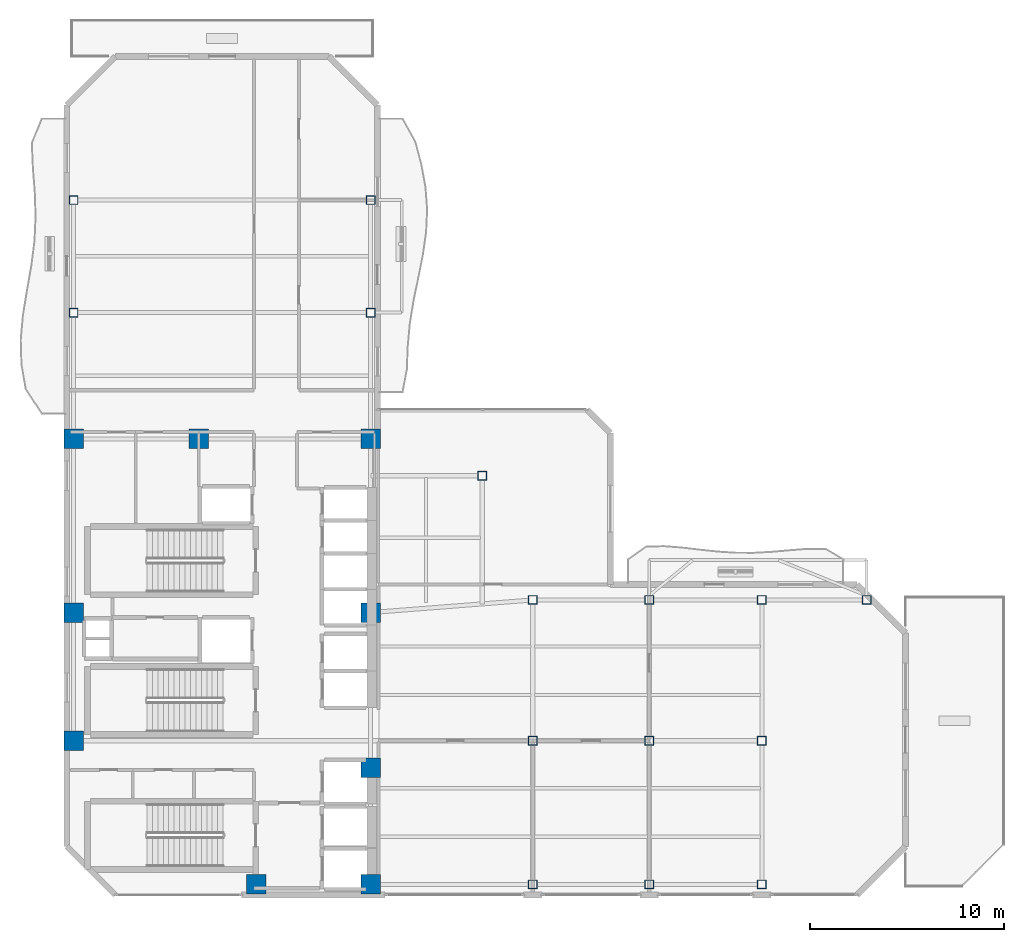
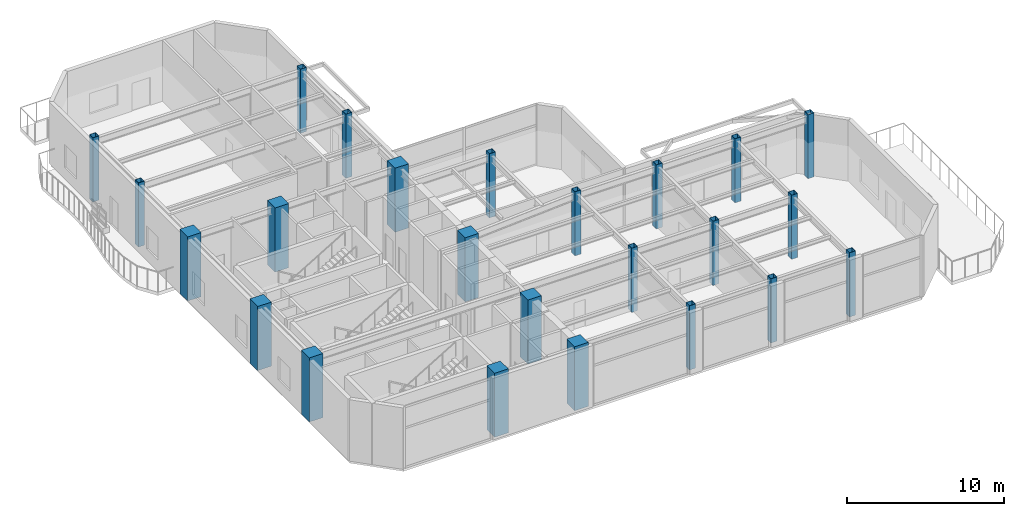
# One storey, part 1 of 16: 24 columns.
"""IFC4 building model written with IfcOpenShell, lengths in metres."""

from ifc_helpers import new_model, si_unit, direction, frame, origin, origin_2d, place, context, subcontext, project, spatial, rectangle, hollow_rectangle, extrude, material, material_profile, profile_set, type_object, element, save


model = new_model("IFC4")

# Units and contexts
model_context = context("Model", 3, precision=1e-05, world=origin(), true_north=direction((0.0, 1.0)))
body_context = subcontext(model_context, "Body", "Model", "MODEL_VIEW")
ifc_project = project(units=[si_unit("LENGTHUNIT", "METRE"), si_unit("AREAUNIT", "SQUARE_METRE"), si_unit("VOLUMEUNIT", "CUBIC_METRE"), si_unit("PLANEANGLEUNIT", "RADIAN"), si_unit("MASSUNIT", "GRAM", prefix="KILO")], contexts=[model_context])

# Site, building, storey
site_placement = place(None, origin())
site = spatial("IfcSite", under=ifc_project, at=site_placement, CompositionType="ELEMENT")
building_placement = place(site_placement, origin())
building = spatial("IfcBuilding", under=site, at=building_placement, Name="Mawjaban Terraces University", CompositionType="ELEMENT")
storey_placement = place(building_placement, frame((0.0, 0.0, 170.800048828125)))
storey = spatial("IfcBuildingStorey", under=building, at=storey_placement, Name="L41", CompositionType="ELEMENT", Elevation=170.800048828125)

# Columns
ifc_material_1 = material(Name="Concrete C60/75", Category="concrete")
ifc_material_profile_1 = material_profile(ifc_material_1, rectangle(XDim=1.0, YDim=1.0, at=origin_2d()), Name="RC1000X1000")
ifc_profile_set_1 = profile_set([ifc_material_profile_1], Name="Concrete C60/75")
column_type_1 = type_object("IfcColumnType", Name="Col_RC1000X1000", PredefinedType="COLUMN", material=ifc_profile_set_1)
for number, where, z_axis, x_axis, name in (
    (1, (31.75, 0.550048828125, 0.0), (0.0, 0.0, 1.0), (1.0, 0.0, 0.0), "L41 Column CC2"),
    (2, (37.64990234375, 0.550048828125, 0.0), (0.0, 0.0, 1.0), (1.0, 0.0, 0.0), "L41 Column CC3"),
    (3, (22.35009765625, 7.949951171875, 0.0), (0.0, 0.0, 1.0), (1.0, 0.0, 0.0), "L41 Column CC4"),
    (4, (37.64990234375, 6.550048828125, 0.0), (0.0, 0.0, 1.0), (1.0, 0.0, 0.0), "L41 Column CC5"),
    (5, (22.35009765625, 14.550048828125, 0.0), (0.0, 0.0, 1.0), (1.0, 0.0, 0.0), "L41 Column CC6"),
    (6, (37.64990234375, 14.550048828125, 0.0), (0.0, 0.0, 1.0), (1.0, 0.0, 0.0), "L41 Column CC7"),
    (7, (22.35009765625, 23.5, 0.0), (0.0, 0.0, 1.0), (1.0, 0.0, 0.0), "L41 Column CC8"),
    (8, (28.800048828125, 23.5, 0.0), (0.0, 0.0, 1.0), (1.0, 0.0, 0.0), "L41 Column CC9"),
    (9, (37.64990234375, 23.5, 0.0), (0.0, 0.0, 1.0), (1.0, 0.0, 0.0), "L41 Column CC10"),
):
    element("IfcColumn", number, at=place(storey_placement, frame(where, z_axis=z_axis, x_axis=x_axis)), inside=storey, type_object=column_type_1, Name=name, PredefinedType="COLUMN", context=body_context, shape_type="SweptSolid", body=[
        extrude(rectangle(XDim=1.0, YDim=1.0, at=origin_2d()), origin(), (0.0, 0.0, 1.0), 5.0),
    ])
ifc_material_2 = material(Name="Steel EN 10210-1 S355J2H", Category="steel")
ifc_material_profile_2 = material_profile(ifc_material_2, hollow_rectangle(XDim=0.449951171875, YDim=0.449951171875, WallThickness=0.02001953125, at=origin_2d()), Name="SHS450X450X20")
ifc_profile_set_2 = profile_set([ifc_material_profile_2], Name="Steel EN 10210-1 S355J2H")
column_type_2 = type_object("IfcColumnType", Name="Col_SHS450X450X20", PredefinedType="COLUMN", material=ifc_profile_set_2)
for number, where, z_axis, x_axis, name in (
    (10, (46.0, 0.550048828125, 0.0), (0.0, 0.0, 1.0), (1.0, 0.0, 0.0), "L41 Column TE-460-005"),
    (11, (46.0, 7.949951171875, 0.0), (0.0, 0.0, 1.0), (1.0, 0.0, 0.0), "L41 Column TE-460-080"),
    (12, (46.0, 15.199951171875, 0.0), (0.0, 0.0, 1.0), (1.0, 0.0, 0.0), "L41 Column TE-460-152"),
    (13, (52.0, 0.550048828125, 0.0), (0.0, 0.0, 1.0), (1.0, 0.0, 0.0), "L41 Column TE-520-005"),
    (14, (52.0, 7.949951171875, 0.0), (0.0, 0.0, 1.0), (1.0, 0.0, 0.0), "L41 Column TE-520-080"),
    (15, (52.0, 15.199951171875, 0.0), (0.0, 0.0, 1.0), (1.0, 0.0, 0.0), "L41 Column TE-520-152"),
    (16, (57.800048828125, 0.550048828125, 0.0), (0.0, 0.0, 1.0), (1.0, 0.0, 0.0), "L41 Column TE-578-005"),
    (17, (57.800048828125, 7.949951171875, 0.0), (0.0, 0.0, 1.0), (1.0, 0.0, 0.0), "L41 Column TE-578-080"),
    (18, (57.800048828125, 15.199951171875, 0.0), (0.0, 0.0, 1.0), (1.0, 0.0, 0.0), "L41 Column TE-578-152"),
    (19, (63.199951171875, 15.199951171875, 0.0), (0.0, 0.0, 1.0), (1.0, 0.0, 0.0), "L41 Column TE-632-152"),
    (20, (22.35009765625, 30.0, 0.0), (0.0, 0.0, 1.0), (1.0, 0.0, 0.0), "L41 Column TN-223-300"),
    (21, (37.64990234375, 30.0, 0.0), (0.0, 0.0, 1.0), (1.0, 0.0, 0.0), "L41 Column TN-376-300"),
    (22, (22.35009765625, 35.800048828125, 0.0), (0.0, 0.0, 1.0), (1.0, 0.0, 0.0), "L41 Column TN-223-358"),
    (23, (37.64990234375, 35.800048828125, 0.0), (0.0, 0.0, 1.0), (1.0, 0.0, 0.0), "L41 Column TN-376-358"),
    (24, (43.39990234375, 21.60009765625, 0.0), (0.0, 0.0, 1.0), (1.0, 0.0, 0.0), "L41 Column TS-434-216"),
):
    element("IfcColumn", number, at=place(storey_placement, frame(where, z_axis=z_axis, x_axis=x_axis)), inside=storey, type_object=column_type_2, Name=name, PredefinedType="COLUMN", context=body_context, shape_type="SweptSolid", body=[
        extrude(hollow_rectangle(XDim=0.449951171875, YDim=0.449951171875, WallThickness=0.02001953125, at=origin_2d()), origin(), (0.0, 0.0, 1.0), 5.0),
    ])

save(model, "model.ifc")
